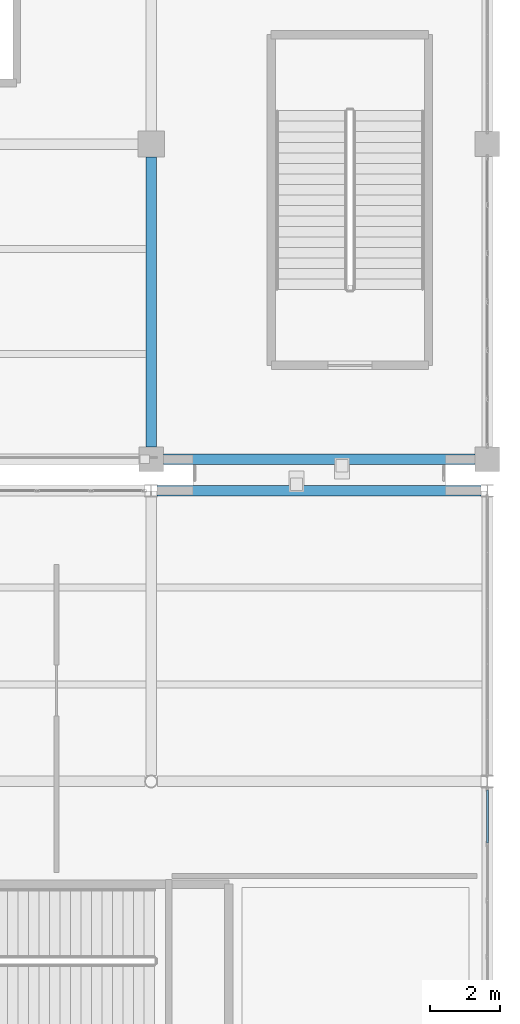
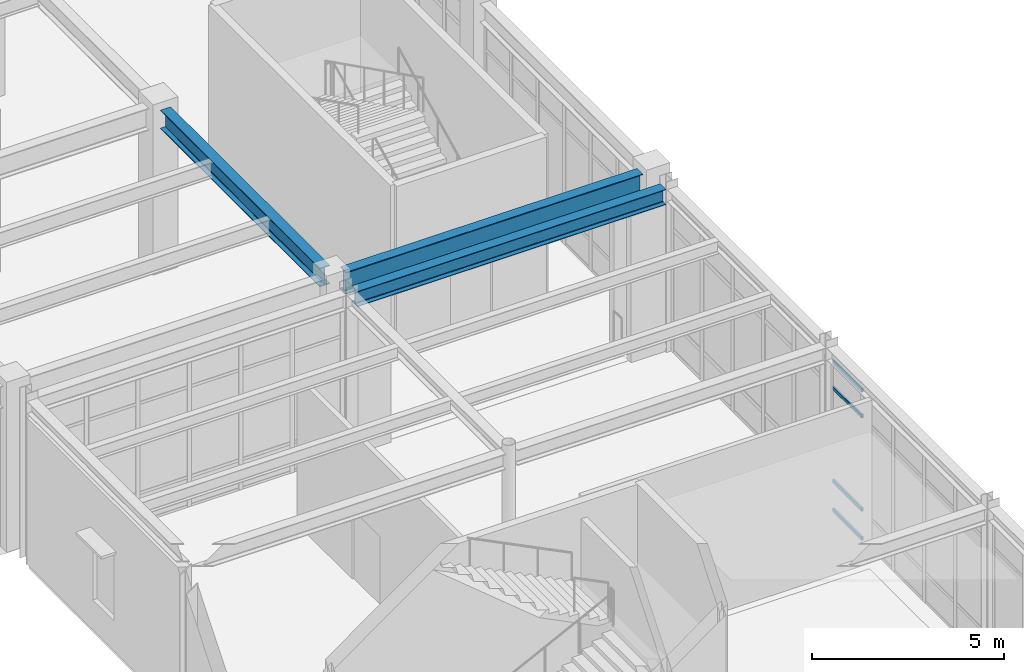
# One storey, part 24 of 80: 4 members, 3 beams, 1 element without a shape of its own.
"""IFC4 building model written with IfcOpenShell, lengths in metres."""

from ifc_helpers import new_model, si_unit, direction, frame, origin, origin_2d, place, context, subcontext, project, spatial, hollow_rectangle, i_section, extrude, material, material_profile, profile_set, type_object, element, aggregate, save


model = new_model("IFC4")

# Units and contexts
model_context = context("Model", 3, precision=1e-05, world=origin(), true_north=direction((0.0, 1.0)))
body_context = subcontext(model_context, "Body", "Model", "MODEL_VIEW")
ifc_project = project(units=[si_unit("LENGTHUNIT", "METRE"), si_unit("AREAUNIT", "SQUARE_METRE"), si_unit("VOLUMEUNIT", "CUBIC_METRE"), si_unit("PLANEANGLEUNIT", "RADIAN"), si_unit("MASSUNIT", "GRAM", prefix="KILO")], contexts=[model_context])

# Site, building, storey
site_placement = place(None, origin())
site = spatial("IfcSite", under=ifc_project, at=site_placement, CompositionType="ELEMENT")
building_placement = place(site_placement, origin())
building = spatial("IfcBuilding", under=site, at=building_placement, Name="Canglan Escarpment Cableway Terminal", CompositionType="ELEMENT")
storey_placement = place(building_placement, frame((0.0, 0.0, 19.199951171875)))
storey = spatial("IfcBuildingStorey", under=building, at=storey_placement, Name="L04", CompositionType="ELEMENT", Elevation=19.199951171875)

# Beams
ifc_material_1 = material(Name="Steel Q355B", Category="steel")
ifc_material_profile_1 = material_profile(ifc_material_1, i_section(OverallWidth=0.300048828125, OverallDepth=0.488037109375, WebThickness=0.010986328125, FlangeThickness=0.01806640625, FilletRadius=0.02587890625, at=origin_2d()), Name="HM 488x300x11x18")
ifc_profile_set_1 = profile_set([ifc_material_profile_1], Name="Steel Q355B")
beam_type_1 = type_object("IfcBeamType", Name="BM-HM488", PredefinedType="BEAM", material=ifc_profile_set_1)
beam_1_placement = place(storey_placement, frame((156.97509765625, 33.10009765625, 4.916015625), z_axis=(1.0, 0.0, 0.0), x_axis=(0.0, 1.0, 0.0)))
element("IfcBeam", 1, at=beam_1_placement, inside=storey, type_object=beam_type_1, Name="Primary structural girder B-09", PredefinedType="BEAM", context=body_context, shape_type="SweptSolid", body=[
    extrude(i_section(OverallWidth=0.300048828125, OverallDepth=0.488037109375, WebThickness=0.010986328125, FlangeThickness=0.01806640625, FilletRadius=0.02587890625, at=origin_2d()), origin(), (0.0, 0.0, 1.0), 9.25),
])
ifc_material_2 = material(Name="Steel Q355C", Category="steel")
ifc_material_profile_2 = material_profile(ifc_material_2, i_section(OverallWidth=0.302001953125, OverallDepth=0.593994140625, WebThickness=0.013916015625, FlangeThickness=0.02294921875, FilletRadius=0.028076171875, at=origin_2d()), Name="HM 594x302x14x23")
ifc_profile_set_2 = profile_set([ifc_material_profile_2], Name="Steel Q355C")
beam_type_2 = type_object("IfcBeamType", Name="BM-HM594", PredefinedType="BEAM", material=ifc_profile_set_2)
beam_2_placement = place(storey_placement, frame((156.800048828125, 34.35009765625, 4.863037109375), z_axis=(0.0, 1.0, 0.0), x_axis=(-1.0, 0.0, 0.0)))
element("IfcBeam", 2, at=beam_2_placement, inside=storey, type_object=beam_type_2, Name="Primary transverse girder B-07", PredefinedType="BEAM", context=body_context, shape_type="SweptSolid", body=[
    extrude(i_section(OverallWidth=0.302001953125, OverallDepth=0.593994140625, WebThickness=0.013916015625, FlangeThickness=0.02294921875, FilletRadius=0.028076171875, at=origin_2d()), origin(), (0.0, 0.0, 1.0), 8.27490234375),
])
ifc_material_profile_3 = material_profile(ifc_material_2, i_section(OverallWidth=0.300048828125, OverallDepth=0.699951171875, WebThickness=0.012939453125, FlangeThickness=0.02392578125, FilletRadius=0.028076171875, at=origin_2d()), Name="HN 700x300x13x24")
ifc_profile_set_3 = profile_set([ifc_material_profile_3], Name="Steel Q355C")
beam_type_3 = type_object("IfcBeamType", Name="BM-HN700", PredefinedType="BEAM", material=ifc_profile_set_3)
beam_3_placement = place(storey_placement, frame((157.14990234375, 34.0, 4.81005859375), z_axis=(1.0, 0.0, 0.0), x_axis=(0.0, 1.0, 0.0)))
element("IfcBeam", 3, at=beam_3_placement, inside=storey, type_object=beam_type_3, Name="Primary structural girder B-06", PredefinedType="BEAM", context=body_context, shape_type="SweptSolid", body=[
    extrude(i_section(OverallWidth=0.300048828125, OverallDepth=0.699951171875, WebThickness=0.012939453125, FlangeThickness=0.02392578125, FilletRadius=0.028076171875, at=origin_2d()), origin(), (0.0, 0.0, 1.0), 8.900146484375),
])

# Curtain wall, members
ifc_material_3 = material(Name="Anodized bronze aluminium and Low-E double glazing", Category="aluminium")
curtain_wall_type = type_object("IfcCurtainWallType", Name="CW-BAY-8050x4750", PredefinedType="NOTDEFINED", material=ifc_material_3)
curtain_wall_placement = place(storey_placement, origin())
curtain_wall = element("IfcCurtainWall", 4, at=curtain_wall_placement, inside=storey, type_object=curtain_wall_type, Name="Classical bay-between-piers glazed curtain wall CW-34", PredefinedType="NOTDEFINED")
ifc_material_4 = material(Name="Thermally broken anodized aluminium 6063-T6", Category="aluminium")
ifc_material_profile_4 = material_profile(ifc_material_4, hollow_rectangle(XDim=0.06005859375, YDim=0.110107421875, WallThickness=0.0029296875, InnerFilletRadius=0.0029296875, OuterFilletRadius=0.006103515625, at=origin_2d()), Name="ALU-TRAN 60x110x3")
ifc_profile_set_4 = profile_set([ifc_material_profile_4], Name="Thermally broken anodized aluminium 6063-T6")
member_type = type_object("IfcMemberType", Name="CWT-02", PredefinedType="USERDEFINED", material=ifc_profile_set_4)
member_1_placement = place(storey_placement, frame((166.39990234375, 23.047607421875, 0.030029296875), z_axis=(0.0, 1.0, 0.0), x_axis=(-1.0, 0.0, 0.0)))
member_1 = element("IfcMember", 5, at=member_1_placement, type_object=member_type, Name="CW-34 transom 5.1", ObjectType="TRANSOM", PredefinedType="USERDEFINED", context=body_context, shape_type="SweptSolid", body=[
    extrude(hollow_rectangle(XDim=0.06005859375, YDim=0.110107421875, WallThickness=0.0029296875, InnerFilletRadius=0.0029296875, OuterFilletRadius=0.006103515625, at=origin_2d()), origin(), (0.0, 0.0, 1.0), 1.512451171875),
])
member_2_placement = place(storey_placement, frame((166.39990234375, 23.047607421875, 0.949951171875), z_axis=(0.0, 1.0, 0.0), x_axis=(-1.0, 0.0, 0.0)))
member_2 = element("IfcMember", 6, at=member_2_placement, type_object=member_type, Name="CW-34 transom 5.2", ObjectType="TRANSOM", PredefinedType="USERDEFINED", context=body_context, shape_type="SweptSolid", body=[
    extrude(hollow_rectangle(XDim=0.06005859375, YDim=0.110107421875, WallThickness=0.0029296875, InnerFilletRadius=0.0029296875, OuterFilletRadius=0.006103515625, at=origin_2d()), origin(), (0.0, 0.0, 1.0), 1.512451171875),
])
member_3_placement = place(storey_placement, frame((166.39990234375, 23.047607421875, 3.905029296875), z_axis=(0.0, 1.0, 0.0), x_axis=(-1.0, 0.0, 0.0)))
member_3 = element("IfcMember", 7, at=member_3_placement, type_object=member_type, Name="CW-34 transom 5.3", ObjectType="TRANSOM", PredefinedType="USERDEFINED", context=body_context, shape_type="SweptSolid", body=[
    extrude(hollow_rectangle(XDim=0.06005859375, YDim=0.110107421875, WallThickness=0.0029296875, InnerFilletRadius=0.0029296875, OuterFilletRadius=0.006103515625, at=origin_2d()), origin(), (0.0, 0.0, 1.0), 1.512451171875),
])
member_4_placement = place(storey_placement, frame((166.39990234375, 23.047607421875, 4.72509765625), z_axis=(0.0, 1.0, 0.0), x_axis=(-1.0, 0.0, 0.0)))
member_4 = element("IfcMember", 8, at=member_4_placement, type_object=member_type, Name="CW-34 transom 5.4", ObjectType="TRANSOM", PredefinedType="USERDEFINED", context=body_context, shape_type="SweptSolid", body=[
    extrude(hollow_rectangle(XDim=0.06005859375, YDim=0.110107421875, WallThickness=0.0029296875, InnerFilletRadius=0.0029296875, OuterFilletRadius=0.006103515625, at=origin_2d()), origin(), (0.0, 0.0, 1.0), 1.512451171875),
])
aggregate(curtain_wall, [member_1, member_2, member_3, member_4])

save(model, "model.ifc")
